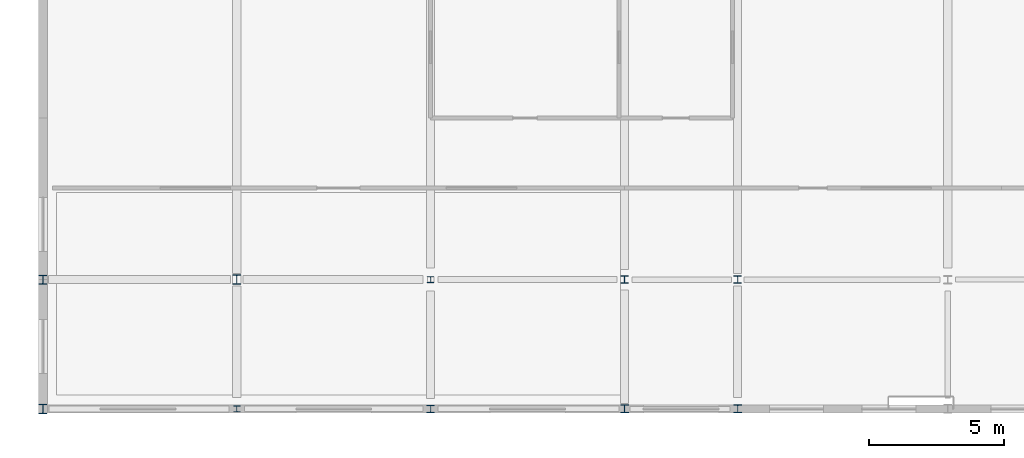
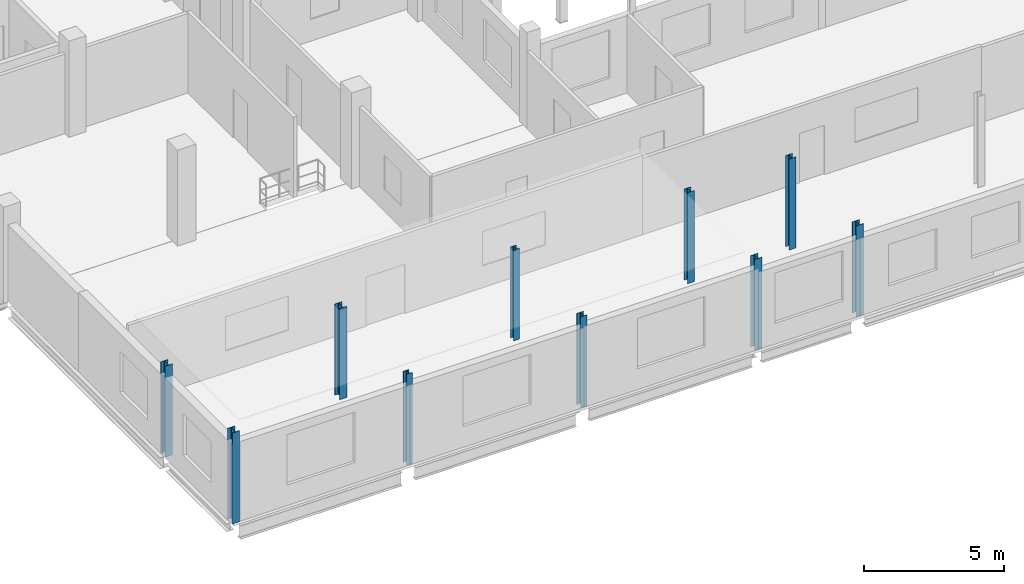
# One storey, part 1 of 121: 10 columns.
"""IFC4 building model written with IfcOpenShell, lengths in metres."""

import ifcopenshell
import ifcopenshell.guid

model = None  # the IFC model being written
_history = None  # IfcOwnerHistory: only IFC2X3 demands one
_inside = {}  # id of a spatial element -> (the spatial element, [elements in it])
_under = {}  # id of a project, library or spatial element -> (it, [spatial elements below it])
_declared = {}  # id of a project -> (the project, [libraries it declares])
_typed = {}  # id of a type object -> (the type object, [elements of that type])
_made_of = {}  # id of a material, layer set ... -> (it, [elements and type objects made of it])


def new_model(schema):
    """Start an empty IFC model of exactly this schema.

    Asked for "IFC4X3", IfcOpenShell would pick the latest addendum, in which some entities
    have other attributes; the version numbers below select the first issue.
    IFC2X3 requires an IfcOwnerHistory on every rooted entity: one is made here for all.
    """
    global model, _history
    if schema == "IFC4X3":
        model = ifcopenshell.file(schema_version=(4, 3, 0, 0))
    else:
        model = ifcopenshell.file(schema=schema)
    _inside.clear()
    _under.clear()
    _declared.clear()
    _typed.clear()
    _made_of.clear()
    _history = None
    if model.schema == "IFC2X3":
        org = make("IfcOrganization", Name="unknown")
        user = make(
            "IfcPersonAndOrganization",
            ThePerson=make("IfcPerson", FamilyName="unknown"),
            TheOrganization=org,
        )
        app = make(
            "IfcApplication",
            ApplicationDeveloper=org,
            Version="unknown",
            ApplicationFullName="unknown",
            ApplicationIdentifier="unknown",
        )
        _history = make(
            "IfcOwnerHistory",
            OwningUser=user,
            OwningApplication=app,
            ChangeAction="ADDED",
            CreationDate=0,
        )
    return model


def make(cls, **values):
    """One entity of the class cls with the attributes given. An attribute that is None is left unset."""
    return model.create_entity(
        cls, **{name: value for name, value in values.items() if value is not None}
    )


def rooted(cls, **values):
    """An entity with a GlobalId (a new one), such as an element, a storey or a relation."""
    return make(cls, GlobalId=ifcopenshell.guid.new(), OwnerHistory=_history, **values)


def si_unit(unit_type, name, prefix=None):
    """IfcSIUnit, for example si_unit("LENGTHUNIT", "METRE", prefix="MILLI")."""
    return make("IfcSIUnit", UnitType=unit_type, Prefix=prefix, Name=name)


def assignment(units):
    """IfcUnitAssignment: the units of a project."""
    return None if units is None else make("IfcUnitAssignment", Units=units)


def point(xyz):
    """IfcCartesianPoint."""
    return None if xyz is None else make("IfcCartesianPoint", Coordinates=xyz)


def direction(xyz):
    """IfcDirection."""
    return None if xyz is None else make("IfcDirection", DirectionRatios=xyz)


def frame(location, z_axis=None, x_axis=None):
    """IfcAxis2Placement3D, a coordinate frame: its origin and axes. An axis left out is left unset."""
    return make(
        "IfcAxis2Placement3D",
        Location=point(location),
        Axis=direction(z_axis),
        RefDirection=direction(x_axis),
    )


def frame_2d(location, x_axis=None):
    """IfcAxis2Placement2D, a coordinate frame in the plane: its origin and x axis."""
    return make(
        "IfcAxis2Placement2D", Location=point(location), RefDirection=direction(x_axis)
    )


def origin():
    """The frame at (0, 0, 0) with its axes left unset."""
    return frame((0.0, 0.0, 0.0))


def origin_2d():
    """The frame at (0, 0) in the plane with its x axis left unset."""
    return frame_2d((0.0, 0.0))


def place(relative_to, where):
    """IfcLocalPlacement: puts the frame where relative to a parent placement (None: the world)."""
    return make(
        "IfcLocalPlacement", PlacementRelTo=relative_to, RelativePlacement=where
    )


def context(
    kind, dimensions, precision=None, world=None, true_north=None, identifier=None
):
    """IfcGeometricRepresentationContext, for example the 3D "Model" context."""
    return make(
        "IfcGeometricRepresentationContext",
        ContextIdentifier=identifier,
        ContextType=kind,
        CoordinateSpaceDimension=dimensions,
        Precision=precision,
        WorldCoordinateSystem=world,
        TrueNorth=true_north,
    )


def subcontext(parent, identifier, kind, view, scale=None):
    """IfcGeometricRepresentationSubContext, for example "Body" below "Model"."""
    return make(
        "IfcGeometricRepresentationSubContext",
        ContextIdentifier=identifier,
        ContextType=kind,
        ParentContext=parent,
        TargetScale=scale,
        TargetView=view,
    )


def project(units=None, contexts=None):
    """IfcProject with its units and contexts."""
    return rooted(
        "IfcProject",
        Name="project",
        RepresentationContexts=contexts,
        UnitsInContext=assignment(units),
    )


def spatial(cls, under=None, at=None, **own):
    """A site, building, storey or space (cls), placed at a placement, below another one or the project."""
    s = rooted(cls, ObjectPlacement=at, **own)
    if under is not None:
        _under.setdefault(under.id(), (under, []))[1].append(s)
    return s


def profile(cls, at=None, kind="AREA", **sizes):
    """A parametric profile (cls). Its sizes go by their IFC names, for example OverallWidth=200.0."""
    return make(cls, ProfileType=kind, Position=at, **sizes)


def i_section(**sizes):
    """IfcIShapeProfileDef."""
    return profile("IfcIShapeProfileDef", **sizes)


def extrude(swept, where, along, depth):
    """IfcExtrudedAreaSolid: the profile swept, set in the frame where, extruded along a direction by depth."""
    return make(
        "IfcExtrudedAreaSolid",
        SweptArea=swept,
        Position=where,
        ExtrudedDirection=direction(along),
        Depth=depth,
    )


def shape(context_of_items, identifier, shape_type, items):
    """IfcShapeRepresentation: the items that make up one representation, for example the "Body"."""
    return make(
        "IfcShapeRepresentation",
        ContextOfItems=context_of_items,
        RepresentationIdentifier=identifier,
        RepresentationType=shape_type,
        Items=items,
    )


def material(Name=None, Category=None):
    """IfcMaterial."""
    return make("IfcMaterial", Name=Name, Category=Category)


def material_profile(
    of_material, cross_section, Name=None, Category=None, Priority=None
):
    """IfcMaterialProfile: a cross section and its material."""
    return make(
        "IfcMaterialProfile",
        Name=Name,
        Material=of_material,
        Profile=cross_section,
        Priority=Priority,
        Category=Category,
    )


def profile_set(profiles, Name=None, composite=None):
    """IfcMaterialProfileSet."""
    return make(
        "IfcMaterialProfileSet",
        Name=Name,
        MaterialProfiles=profiles,
        CompositeProfile=composite,
    )


def made_of(thing, what):
    """Note that an element or type object is made of a material, layer set ...; save() writes the relation."""
    if what is not None:
        _made_of.setdefault(what.id(), (what, []))[1].append(thing)
    return thing


def type_object(cls, material=None, **own):
    """A type object (cls), such as IfcWallType, which elements share."""
    return made_of(rooted(cls, **own), material)


def element(
    cls,
    number,
    at=None,
    inside=None,
    cuts=None,
    type_object=None,
    material=None,
    context=None,
    identifier="Body",
    shape_type=None,
    held_by="IfcProductDefinitionShape",
    body=None,
    shapes=None,
    **own,
):
    """One element of the class cls, such as IfcWall. Its Tag is "e" and its number.

    at: its placement. inside: the storey or other place that contains it. cuts: it is an
    opening in that element (IfcRelVoidsElement). A single representation is given by context,
    identifier, shape_type and body (its items); several are given by shapes. held_by: the class
    of the entity that holds the representations. save() writes the other relations.
    """
    e = rooted(cls, Tag="e%d" % number, ObjectPlacement=at, **own)
    if body is not None:
        shapes = [shape(context, identifier, shape_type, body)]
    if shapes is not None:
        e.Representation = make(held_by, Representations=shapes)
    if inside is not None:
        _inside.setdefault(inside.id(), (inside, []))[1].append(e)
    if cuts is not None:
        rooted(
            "IfcRelVoidsElement", RelatingBuildingElement=cuts, RelatedOpeningElement=e
        )
    if type_object is not None:
        _typed.setdefault(type_object.id(), (type_object, []))[1].append(e)
    return made_of(e, material)


def aggregate(whole, parts):
    """IfcRelAggregates: a whole, such as a stair, and the parts it consists of."""
    return rooted("IfcRelAggregates", RelatingObject=whole, RelatedObjects=parts)


def save(model, path):
    """Write the relations noted so far, then the file.

    IfcRelAggregates (storeys below a building ...), IfcRelContainedInSpatialStructure (elements
    in a storey), IfcRelDefinesByType, IfcRelAssociatesMaterial and IfcRelDeclares: one each for
    every whole, place, type object, material and project.
    """
    for whole, parts in _under.values():
        aggregate(whole, parts)
    for where, things in _inside.values():
        rooted(
            "IfcRelContainedInSpatialStructure",
            RelatedElements=things,
            RelatingStructure=where,
        )
    for kind, things in _typed.values():
        rooted("IfcRelDefinesByType", RelatedObjects=things, RelatingType=kind)
    for what, things in _made_of.values():
        rooted("IfcRelAssociatesMaterial", RelatedObjects=things, RelatingMaterial=what)
    for by, libraries in _declared.values():
        rooted("IfcRelDeclares", RelatingContext=by, RelatedDefinitions=libraries)
    model.write(path)


model = new_model("IFC4")

# Units and contexts
model_context = context("Model", 3, precision=1e-05, world=origin(), true_north=direction((0.0, 1.0)))
body_context = subcontext(model_context, "Body", "Model", "MODEL_VIEW")
ifc_project = project(units=[si_unit("LENGTHUNIT", "METRE"), si_unit("AREAUNIT", "SQUARE_METRE"), si_unit("VOLUMEUNIT", "CUBIC_METRE"), si_unit("PLANEANGLEUNIT", "RADIAN"), si_unit("MASSUNIT", "GRAM", prefix="KILO")], contexts=[model_context])

# Site, building, storey
site_placement = place(None, origin())
site = spatial("IfcSite", under=ifc_project, at=site_placement, CompositionType="ELEMENT")
building_placement = place(site_placement, origin())
building = spatial("IfcBuilding", under=site, at=building_placement, Name="Vinh Khe Railworks Police Headquarters", CompositionType="ELEMENT")
storey_placement = place(building_placement, frame((0.0, 0.0, 4.800048828125)))
storey = spatial("IfcBuildingStorey", under=building, at=storey_placement, Name="L01", CompositionType="ELEMENT", Elevation=4.800048828125)

# Columns
ifc_material = material(Name="Steel S355JR", Category="steel")
ifc_material_profile_1 = material_profile(ifc_material, i_section(OverallWidth=0.239990234375, OverallDepth=0.22998046875, WebThickness=0.007568359375, FlangeThickness=0.011962890625, FilletRadius=0.02099609375, at=origin_2d()), Name="HEA 240")
ifc_profile_set_1 = profile_set([ifc_material_profile_1], Name="Steel S355JR")
column_type_1 = type_object("IfcColumnType", Name="Steel Column HEA 240", PredefinedType="COLUMN", material=ifc_profile_set_1)
for number, where, z_axis, x_axis, name in (
    (1, (7.800048828125, 1.199951171875, 0.0), (0.0, 0.0, 1.0), (1.0, 0.0, 0.0), "Column COL-L01-SC-20-0170"),
    (2, (15.0, 6.0, 0.0), (0.0, 0.0, 1.0), (1.0, 0.0, 0.0), "Column COL-L01-SC-20-0340"),
):
    element("IfcColumn", number, at=place(storey_placement, frame(where, z_axis=z_axis, x_axis=x_axis)), inside=storey, type_object=column_type_1, Name=name, PredefinedType="COLUMN", context=body_context, shape_type="SweptSolid", body=[
        extrude(i_section(OverallWidth=0.239990234375, OverallDepth=0.22998046875, WebThickness=0.007568359375, FlangeThickness=0.011962890625, FilletRadius=0.02099609375, at=origin_2d()), origin(), (0.0, 0.0, 1.0), 3.97998046875),
    ])
ifc_material_profile_2 = material_profile(ifc_material, i_section(OverallWidth=0.280029296875, OverallDepth=0.27001953125, WebThickness=0.008056640625, FlangeThickness=0.012939453125, FilletRadius=0.02392578125, at=origin_2d()), Name="HEA 280")
ifc_profile_set_2 = profile_set([ifc_material_profile_2], Name="Steel S355JR")
column_type_2 = type_object("IfcColumnType", Name="Steel Column HEA 280", PredefinedType="COLUMN", material=ifc_profile_set_2)
for number, where, z_axis, x_axis, name in (
    (3, (15.0, 1.199951171875, 0.0), (0.0, 0.0, 1.0), (1.0, 0.0, 0.0), "Column COL-L01-SC-19-0337"),
    (4, (22.199951171875, 6.0, 0.0), (0.0, 0.0, 1.0), (1.0, 0.0, 0.0), "Column COL-L01-SC-19-0507"),
    (5, (26.39990234375, 6.0, 0.0), (0.0, 0.0, 1.0), (1.0, 0.0, 0.0), "Column COL-L01-SC-19-0713"),
):
    element("IfcColumn", number, at=place(storey_placement, frame(where, z_axis=z_axis, x_axis=x_axis)), inside=storey, type_object=column_type_2, Name=name, PredefinedType="COLUMN", context=body_context, shape_type="SweptSolid", body=[
        extrude(i_section(OverallWidth=0.280029296875, OverallDepth=0.27001953125, WebThickness=0.008056640625, FlangeThickness=0.012939453125, FilletRadius=0.02392578125, at=origin_2d()), origin(), (0.0, 0.0, 1.0), 3.97998046875),
    ])
ifc_material_profile_3 = material_profile(ifc_material, i_section(OverallWidth=0.300048828125, OverallDepth=0.2900390625, WebThickness=0.008544921875, FlangeThickness=0.013916015625, FilletRadius=0.027099609375, at=origin_2d()), Name="HEA 300")
ifc_profile_set_3 = profile_set([ifc_material_profile_3], Name="Steel S355JR")
column_type_3 = type_object("IfcColumnType", Name="Steel Column HEA 300", PredefinedType="COLUMN", material=ifc_profile_set_3)
for number, where, z_axis, x_axis, name in (
    (6, (22.199951171875, 1.199951171875, 0.0), (0.0, 0.0, 1.0), (1.0, 0.0, 0.0), "Column COL-L01-SC-18-0504"),
    (7, (26.39990234375, 1.199951171875, 0.0), (0.0, 0.0, 1.0), (1.0, 0.0, 0.0), "Column COL-L01-SC-18-0710"),
):
    element("IfcColumn", number, at=place(storey_placement, frame(where, z_axis=z_axis, x_axis=x_axis)), inside=storey, type_object=column_type_3, Name=name, PredefinedType="COLUMN", context=body_context, shape_type="SweptSolid", body=[
        extrude(i_section(OverallWidth=0.300048828125, OverallDepth=0.2900390625, WebThickness=0.008544921875, FlangeThickness=0.013916015625, FilletRadius=0.027099609375, at=origin_2d()), origin(), (0.0, 0.0, 1.0), 3.97998046875),
    ])
ifc_material_profile_4 = material_profile(ifc_material, i_section(OverallWidth=0.300048828125, OverallDepth=0.330078125, WebThickness=0.009521484375, FlangeThickness=0.0166015625, FilletRadius=0.027099609375, at=origin_2d()), Name="HEA 340")
ifc_profile_set_4 = profile_set([ifc_material_profile_4], Name="Steel S355JR")
column_type_4 = type_object("IfcColumnType", Name="Steel Column HEA 340", PredefinedType="COLUMN", material=ifc_profile_set_4)
column_placement = place(storey_placement, frame((0.60009765625, 6.0, 0.0), z_axis=(0.0, 0.0, 1.0), x_axis=(1.0, 0.0, 0.0)))
element("IfcColumn", 8, at=column_placement, inside=storey, type_object=column_type_4, Name="Column COL-L01-SC-17-0006", PredefinedType="COLUMN", context=body_context, shape_type="SweptSolid", body=[
    extrude(i_section(OverallWidth=0.300048828125, OverallDepth=0.330078125, WebThickness=0.009521484375, FlangeThickness=0.0166015625, FilletRadius=0.027099609375, at=origin_2d()), origin(), (0.0, 0.0, 1.0), 3.97998046875),
])
ifc_material_profile_5 = material_profile(ifc_material, i_section(OverallWidth=0.300048828125, OverallDepth=0.35009765625, WebThickness=0.010009765625, FlangeThickness=0.017578125, FilletRadius=0.027099609375, at=origin_2d()), Name="HEA 360")
ifc_profile_set_5 = profile_set([ifc_material_profile_5], Name="Steel S355JR")
column_type_5 = type_object("IfcColumnType", Name="Steel Column HEA 360", PredefinedType="COLUMN", material=ifc_profile_set_5)
for number, where, z_axis, x_axis, name in (
    (9, (0.60009765625, 1.199951171875, 0.0), (0.0, 0.0, 1.0), (1.0, 0.0, 0.0), "Column COL-L01-SC-16-0003"),
    (10, (7.800048828125, 6.0, 0.0), (0.0, 0.0, 1.0), (1.0, 0.0, 0.0), "Column COL-L01-SC-16-0173"),
):
    element("IfcColumn", number, at=place(storey_placement, frame(where, z_axis=z_axis, x_axis=x_axis)), inside=storey, type_object=column_type_5, Name=name, PredefinedType="COLUMN", context=body_context, shape_type="SweptSolid", body=[
        extrude(i_section(OverallWidth=0.300048828125, OverallDepth=0.35009765625, WebThickness=0.010009765625, FlangeThickness=0.017578125, FilletRadius=0.027099609375, at=origin_2d()), origin(), (0.0, 0.0, 1.0), 3.97998046875),
    ])

save(model, "model.ifc")
